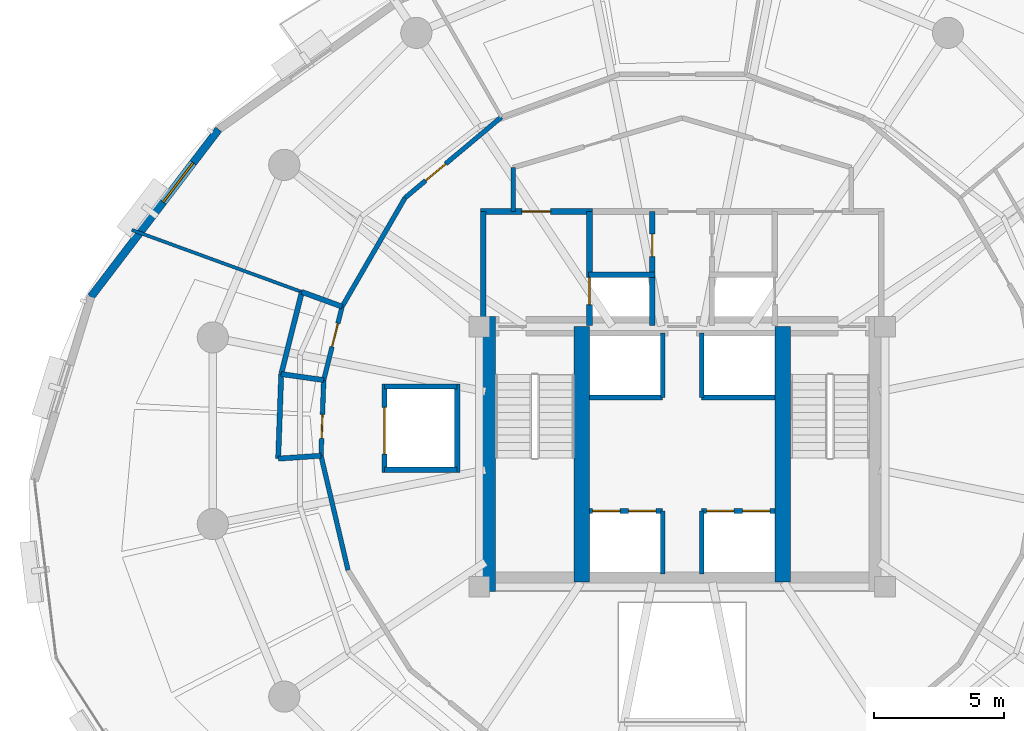
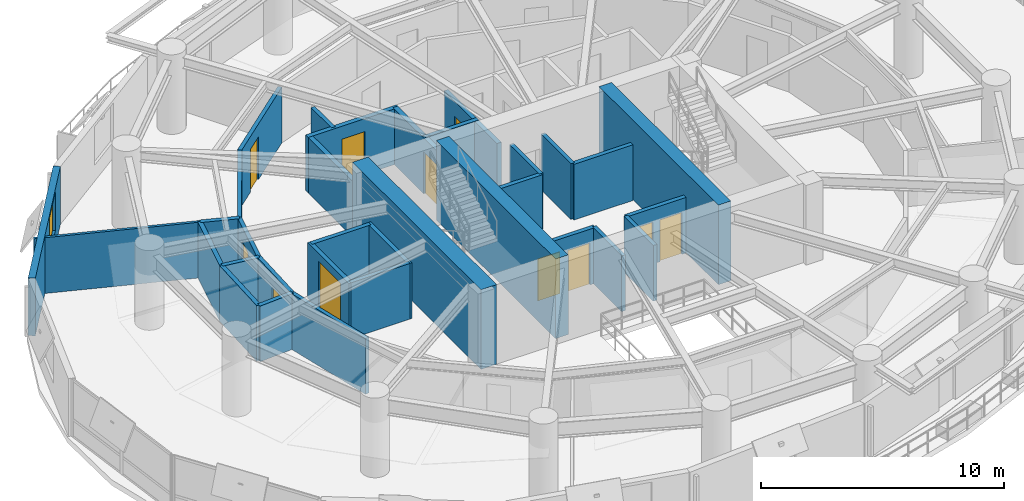
# One storey, part 10 of 15: 33 walls, 11 doors, 1 window, 12 openings.
"""IFC4 building model written with IfcOpenShell, lengths in metres."""

from ifc_helpers import new_model, si_unit, direction, frame, frame_2d, origin, place, context, subcontext, project, spatial, rectangle, extrude, material, layer, layer_set, type_object, element, fill, save


model = new_model("IFC4")

# Units and contexts
model_context = context("Model", 3, precision=1e-05, world=origin(), true_north=direction((0.0, 1.0)))
body_context = subcontext(model_context, "Body", "Model", "MODEL_VIEW")
ifc_project = project(units=[si_unit("LENGTHUNIT", "METRE"), si_unit("AREAUNIT", "SQUARE_METRE"), si_unit("VOLUMEUNIT", "CUBIC_METRE"), si_unit("PLANEANGLEUNIT", "RADIAN"), si_unit("MASSUNIT", "GRAM", prefix="KILO"), si_unit("THERMODYNAMICTEMPERATUREUNIT", "KELVIN"), si_unit("POWERUNIT", "WATT")], contexts=[model_context])

# Site, building, storey
site_placement = place(None, origin())
site = spatial("IfcSite", under=ifc_project, at=site_placement, CompositionType="ELEMENT")
building_placement = place(site_placement, origin())
building = spatial("IfcBuilding", under=site, at=building_placement, Name="Ocrelia Relay Tower", CompositionType="ELEMENT")
storey_placement = place(building_placement, frame((0.0, 0.0, 117.800048828125)))
storey = spatial("IfcBuildingStorey", under=building, at=storey_placement, Name="L27", CompositionType="ELEMENT", Elevation=117.800048828125)

# Walls
ifc_material_1 = material(Name="Concrete C60/75", Category="concrete")
ifc_layer_1 = layer(ifc_material_1, 0.75, Name="Concrete C60/75")
ifc_layer_set_1 = layer_set([ifc_layer_1], Name="Concrete C60/75")
wall_type_1 = type_object("IfcWallType", Name="CW-CORE-750", PredefinedType="SHEAR", material=ifc_layer_set_1)
wall_1_placement = place(storey_placement, frame((26.447021484375, 19.81201171875, 0.0), z_axis=(0.0, 0.0, 1.0), x_axis=(0.0, 1.0, 0.0)))
element("IfcWall", 1, at=wall_1_placement, inside=storey, type_object=wall_type_1, Name="L27 Core Shear Wall W", PredefinedType="SHEAR", context=body_context, shape_type="SweptSolid", body=[
    extrude(rectangle(XDim=10.575927734375, YDim=0.75, at=frame_2d((5.2880859375, 0.0))), origin(), (0.0, 0.0, 1.0), 4.0),
])
for number, where, z_axis, x_axis, name in (
    (2, (30.137939453125, 20.18701171875, 0.0), (0.0, 0.0, 1.0), (0.0, 1.0, 0.0), "L27 Core Shear Wall SPW"),
    (3, (37.8720703125, 20.18701171875, 0.0), (0.0, 0.0, 1.0), (0.0, 1.0, 0.0), "L27 Core Shear Wall SPE"),
):
    element("IfcWall", number, at=place(storey_placement, frame(where, z_axis=z_axis, x_axis=x_axis)), inside=storey, type_object=wall_type_1, Name=name, PredefinedType="SHEAR", context=body_context, shape_type="SweptSolid", body=[
        extrude(rectangle(XDim=9.825927734375, YDim=0.60009765625, at=frame_2d((4.9130859375, 0.0))), origin(), (0.0, 0.0, 1.0), 4.0),
    ])
ifc_material_2 = material(Name="Gypsum Fireboard Partition EI60", Category="gypsum")
ifc_layer_2 = layer(ifc_material_2, 0.179931640625, Name="Gypsum Fireboard Partition EI60")
ifc_layer_set_2 = layer_set([ifc_layer_2], Name="Gypsum Fireboard Partition EI60")
wall_type_2 = type_object("IfcWallType", Name="W-CORR-EI60-180", PredefinedType="PARTITIONING", material=ifc_layer_set_2)
wall_2_placement = place(storey_placement, frame((27.5, 34.429931640625, 0.0), z_axis=(0.0, 0.0, 1.0), x_axis=(0.0, 1.0, 0.0)))
element("IfcWall", 4, at=wall_2_placement, inside=storey, type_object=wall_type_2, Name="L27 Smoke Lobby West Return", PredefinedType="PARTITIONING", context=body_context, shape_type="SweptSolid", body=[
    extrude(rectangle(XDim=1.69287109375, YDim=0.179931640625, at=frame_2d((0.846435546875, 0.0))), origin(), (0.0, 0.0, 1.0), 2.800048828125),
])

# Wall, opening, door
wall_3_placement = place(storey_placement, frame((20.923583984375, 30.772216796875, 0.0), z_axis=(0.0, 0.0, 1.0), x_axis=(-0.242713284666, -0.970098067953, 0.0)))
wall_3 = element("IfcWall", 5, at=wall_3_placement, inside=storey, type_object=wall_type_2, Name="L27 Staff Toilet Corridor Wall", PredefinedType="PARTITIONING", context=body_context, shape_type="SweptSolid", body=[
    extrude(rectangle(XDim=2.909912109375, YDim=0.179931640625, at=frame_2d((1.455078125, 0.0))), origin(), (0.0, 0.0, 1.0), 2.800048828125),
])
opening_1_placement = place(wall_3_placement, frame((0.6689453125, 0.0, 0.0)))
opening_1 = element("IfcOpeningElement", 6, at=opening_1_placement, cuts=wall_3, Name="Opening D-WC92", PredefinedType="OPENING", context=body_context, shape_type="SweptSolid", body=[
    extrude(rectangle(XDim=0.919921875, YDim=2.10009765625, at=frame_2d((0.4599609375, 1.050048828125))), frame((0.0, 0.10009765625, 0.0), z_axis=(0.0, -1.0, 0.0), x_axis=(1.0, 0.0, 0.0)), (0.0, 0.0, 1.0), 0.199951171875),
])
ifc_material_3 = material(Name="Laminate washroom door", Category="wood")
door_type_1 = type_object("IfcDoorType", Name="DR-WC-920", OperationType="NOTDEFINED", PredefinedType="DOOR", material=ifc_material_3)
door_1_placement = place(opening_1_placement, origin())
door_1 = element("IfcDoor", 7, at=door_1_placement, inside=storey, type_object=door_type_1, Name="L27 Staff Toilet Door", OperationType="SINGLE_SWING_LEFT", OverallHeight=2.10009765625, OverallWidth=0.919921875, PredefinedType="DOOR", context=body_context, shape_type="SweptSolid", body=[
    extrude(rectangle(XDim=0.919921875, YDim=2.10009765625, at=frame_2d((0.4599609375, 1.050048828125))), frame((0.0, 0.02490234375, 0.0), z_axis=(0.0, -1.0, 0.0), x_axis=(1.0, 0.0, 0.0)), (0.0, 0.0, 1.0), 0.050048828125),
])
fill(opening_1, door_1)

wall_4_placement = place(storey_placement, frame((20.21728515625, 27.94921875, 0.0), z_axis=(0.0, 0.0, 1.0), x_axis=(-0.035823197379, -0.999358143275, 0.0)))
wall_4 = element("IfcWall", 8, at=wall_4_placement, inside=storey, type_object=wall_type_2, Name="L27 Accessible Toilet Corridor Wall", PredefinedType="PARTITIONING", context=body_context, shape_type="SweptSolid", body=[
    extrude(rectangle(XDim=2.91015625, YDim=0.179931640625, at=frame_2d((1.455078125, 0.0))), origin(), (0.0, 0.0, 1.0), 2.800048828125),
])
opening_2_placement = place(wall_4_placement, frame((1.321044921875, 0.0, 0.0)))
opening_2 = element("IfcOpeningElement", 9, at=opening_2_placement, cuts=wall_4, Name="Opening D-WC92", PredefinedType="OPENING", context=body_context, shape_type="SweptSolid", body=[
    extrude(rectangle(XDim=0.919921875, YDim=2.10009765625, at=frame_2d((0.4599609375, 1.050048828125))), frame((0.0, 0.10009765625, 0.0), z_axis=(0.0, -1.0, 0.0), x_axis=(1.0, 0.0, 0.0)), (0.0, 0.0, 1.0), 0.199951171875),
])
door_2_placement = place(opening_2_placement, origin())
door_2 = element("IfcDoor", 10, at=door_2_placement, inside=storey, type_object=door_type_1, Name="L27 Accessible Toilet Door", OperationType="SINGLE_SWING_RIGHT", OverallHeight=2.10009765625, OverallWidth=0.919921875, PredefinedType="DOOR", context=body_context, shape_type="SweptSolid", body=[
    extrude(rectangle(XDim=0.919921875, YDim=2.10009765625, at=frame_2d((0.4599609375, 1.050048828125))), frame((0.0, 0.02490234375, 0.0), z_axis=(0.0, -1.0, 0.0), x_axis=(1.0, 0.0, 0.0)), (0.0, 0.0, 1.0), 0.050048828125),
])
fill(opening_2, door_2)

# Wall
wall_5_placement = place(storey_placement, frame((20.113037109375, 25.041015625, 0.0), z_axis=(0.0, 0.0, 1.0), x_axis=(0.229765650993, -0.973245984129, 0.0)))
element("IfcWall", 11, at=wall_5_placement, inside=storey, type_object=wall_type_2, Name="L27 Peering Conference Room Corridor Partition 1", PredefinedType="PARTITIONING", context=body_context, shape_type="SweptSolid", body=[
    extrude(rectangle(XDim=4.514892578125, YDim=0.179931640625, at=frame_2d((2.25732421875, 0.0))), origin(), (0.0, 0.0, 1.0), 2.800048828125),
])

# Wall, opening, door
wall_6_placement = place(storey_placement, frame((27.050537109375, 38.06103515625, 0.0), z_axis=(0.0, 0.0, 1.0), x_axis=(-0.766604462261, -0.642119613811, 0.0)))
wall_6 = element("IfcWall", 12, at=wall_6_placement, inside=storey, type_object=wall_type_2, Name="L27 Fiber Patch Store Corridor Partition 1", PredefinedType="PARTITIONING", context=body_context, shape_type="SweptSolid", body=[
    extrude(rectangle(XDim=4.83447265625, YDim=0.179931640625, at=frame_2d((2.417236328125, 0.0))), origin(), (0.0, 0.0, 1.0), 2.800048828125),
])
opening_3_placement = place(wall_6_placement, frame((2.80078125, 0.0, 0.0)))
opening_3 = element("IfcOpeningElement", 13, at=opening_3_placement, cuts=wall_6, Name="Opening D-RM100", PredefinedType="OPENING", context=body_context, shape_type="SweptSolid", body=[
    extrude(rectangle(XDim=1.0, YDim=2.14990234375, at=frame_2d((0.5, 1.074951171875))), frame((0.0, 0.10009765625, 0.0), z_axis=(0.0, -1.0, 0.0), x_axis=(1.0, 0.0, 0.0)), (0.0, 0.0, 1.0), 0.199951171875),
])
ifc_material_4 = material(Name="Acoustic oak veneer fire door", Category="wood")
door_type_2 = type_object("IfcDoorType", Name="DR-ROOM-FD60-1000", OperationType="NOTDEFINED", PredefinedType="DOOR", material=ifc_material_4)
door_3_placement = place(opening_3_placement, origin())
door_3 = element("IfcDoor", 14, at=door_3_placement, inside=storey, type_object=door_type_2, Name="L27 Fiber Patch Store Entrance Door", OperationType="SINGLE_SWING_LEFT", OverallHeight=2.14990234375, OverallWidth=1.0, PredefinedType="DOOR", context=body_context, shape_type="SweptSolid", body=[
    extrude(rectangle(XDim=1.0, YDim=2.14990234375, at=frame_2d((0.5, 1.074951171875))), frame((0.0, 0.02490234375, 0.0), z_axis=(0.0, -1.0, 0.0), x_axis=(1.0, 0.0, 0.0)), (0.0, 0.0, 1.0), 0.050048828125),
])
fill(opening_3, door_3)

# Wall
wall_7_placement = place(storey_placement, frame((23.344482421875, 34.956787109375, 0.0), z_axis=(0.0, 0.0, 1.0), x_axis=(-0.500765511673, -0.865582984074, 0.0)))
element("IfcWall", 15, at=wall_7_placement, inside=storey, type_object=wall_type_2, Name="L27 Fiber Patch Store Corridor Partition 2", PredefinedType="PARTITIONING", context=body_context, shape_type="SweptSolid", body=[
    extrude(rectangle(XDim=4.83447265625, YDim=0.179931640625, at=frame_2d((2.417236328125, 0.0))), origin(), (0.0, 0.0, 1.0), 2.800048828125),
])

# Wall, opening, window
ifc_material_5 = material(Name="Precast concrete C40/50 with oxide terracotta", Category="masonry")
ifc_layer_3 = layer(ifc_material_5, 0.300048828125, Name="Precast concrete C40/50 with oxide terracotta")
ifc_layer_set_3 = layer_set([ifc_layer_3], Name="Precast concrete C40/50 with oxide terracotta")
wall_type_3 = type_object("IfcWallType", Name="W-EXT-TERR-300", PredefinedType="SOLIDWALL", material=ifc_layer_set_3)
wall_8_placement = place(storey_placement, frame((16.176513671875, 37.588134765625, 0.0), z_axis=(0.0, 0.0, 1.0), x_axis=(-0.606432047851, -0.795135316371, 0.0)))
wall_8 = element("IfcWall", 16, at=wall_8_placement, inside=storey, type_object=wall_type_3, Name="L27 Oxide Terracotta Facade Wall 07", PredefinedType="SOLIDWALL", context=body_context, shape_type="SweptSolid", body=[
    extrude(rectangle(XDim=8.09521484375, YDim=0.300048828125, at=frame_2d((4.047607421875, 0.0))), origin(), (0.0, 0.0, 1.0), 2.89990234375),
])
opening_4_placement = place(wall_8_placement, frame((1.614990234375, 0.0, 0.800048828125)))
opening_4 = element("IfcOpeningElement", 17, at=opening_4_placement, cuts=wall_8, Name="Opening W-06", PredefinedType="OPENING", context=body_context, shape_type="SweptSolid", body=[
    extrude(rectangle(XDim=1.89990234375, YDim=1.949951171875, at=frame_2d((0.949951171875, 0.97509765625))), frame((0.0, 0.16015625, 0.0), z_axis=(0.0, -1.0, 0.0), x_axis=(1.0, 0.0, 0.0)), (0.0, 0.0, 1.0), 0.320068359375),
])
ifc_material_6 = material(Name="Clear double-glazed low-E glass", Category="glass")
window_type = type_object("IfcWindowType", Name="WIN-Z2-1900x2100", PartitioningType="DOUBLE_PANEL_VERTICAL", PredefinedType="WINDOW", material=ifc_material_6)
window_placement = place(opening_4_placement, origin())
window = element("IfcWindow", 18, at=window_placement, inside=storey, type_object=window_type, Name="L27 Facade Module Window 07", OverallHeight=1.949951171875, OverallWidth=1.89990234375, PartitioningType="SINGLE_PANEL", PredefinedType="WINDOW", context=body_context, shape_type="SweptSolid", body=[
    extrude(rectangle(XDim=1.89990234375, YDim=1.949951171875, at=frame_2d((0.949951171875, 0.97509765625))), frame((0.0, 0.030029296875, 0.0), z_axis=(0.0, -1.0, 0.0), x_axis=(1.0, 0.0, 0.0)), (0.0, 0.0, 1.0), 0.06005859375),
])
fill(opening_4, window)

# Wall
ifc_material_7 = material(Name="Concrete C50/60", Category="concrete")
ifc_layer_4 = layer(ifc_material_7, 0.219970703125, Name="Concrete C50/60")
ifc_layer_set_4 = layer_set([ifc_layer_4], Name="Concrete C50/60")
wall_type_4 = type_object("IfcWallType", Name="W-FFL-EI120-220", PredefinedType="SOLIDWALL", material=ifc_layer_set_4)
wall_9_placement = place(storey_placement, frame((26.35009765625, 30.050048828125, 0.0), z_axis=(0.0, 0.0, 1.0), x_axis=(0.0, 1.0, 0.0)))
element("IfcWall", 19, at=wall_9_placement, inside=storey, type_object=wall_type_4, Name="L27 W Fire Service Lift Lobby West Wall", PredefinedType="SOLIDWALL", context=body_context, shape_type="SweptSolid", body=[
    extrude(rectangle(XDim=4.3798828125, YDim=0.219970703125, at=frame_2d((2.18994140625, 0.0))), origin(), (0.0, 0.0, 1.0), 2.800048828125),
])

# Wall, opening, door
wall_10_placement = place(storey_placement, frame((30.43994140625, 30.050048828125, 0.0), z_axis=(0.0, 0.0, 1.0), x_axis=(0.0, 1.0, 0.0)))
wall_10 = element("IfcWall", 20, at=wall_10_placement, inside=storey, type_object=wall_type_4, Name="L27 W Fire Service Lift Lobby East Wall", PredefinedType="SOLIDWALL", context=body_context, shape_type="SweptSolid", body=[
    extrude(rectangle(XDim=4.3798828125, YDim=0.219970703125, at=frame_2d((2.18994140625, 0.0))), origin(), (0.0, 0.0, 1.0), 2.800048828125),
])
opening_5_placement = place(wall_10_placement, frame((0.800048828125, 0.0, 0.0)))
opening_5 = element("IfcOpeningElement", 21, at=opening_5_placement, cuts=wall_10, Name="Opening LD-FFL1", PredefinedType="OPENING", context=body_context, shape_type="SweptSolid", body=[
    extrude(rectangle(XDim=1.050048828125, YDim=2.10009765625, at=frame_2d((0.52490234375, 1.050048828125))), frame((0.0, 0.1201171875, 0.0), z_axis=(0.0, -1.0, 0.0), x_axis=(1.0, 0.0, 0.0)), (0.0, 0.0, 1.0), 0.239990234375),
])
ifc_material_8 = material(Name="Brushed stainless steel S355 lift landing door", Category="steel")
door_type_3 = type_object("IfcDoorType", Name="DR-LIFT-LAND-1050", OperationType="DOUBLE_DOOR_SLIDING", PredefinedType="USERDEFINED", material=ifc_material_8)
door_4_placement = place(opening_5_placement, origin())
door_4 = element("IfcDoor", 22, at=door_4_placement, inside=storey, type_object=door_type_3, Name="L27 Firefighting Lift FFL1 Sliding Landing Door", ObjectType="LANDING DOOR", OperationType="DOUBLE_DOOR_SLIDING", OverallHeight=2.10009765625, OverallWidth=1.050048828125, PredefinedType="USERDEFINED", context=body_context, shape_type="SweptSolid", body=[
    extrude(rectangle(XDim=1.050048828125, YDim=2.10009765625, at=frame_2d((0.52490234375, 1.050048828125))), frame((0.0, 0.02490234375, 0.0), z_axis=(0.0, -1.0, 0.0), x_axis=(1.0, 0.0, 0.0)), (0.0, 0.0, 1.0), 0.050048828125),
])
fill(opening_5, door_4)

wall_11_placement = place(storey_placement, frame((26.239990234375, 34.429931640625, 0.0), z_axis=(0.0, 0.0, 1.0), x_axis=(1.0, 0.0, 0.0)))
wall_11 = element("IfcWall", 23, at=wall_11_placement, inside=storey, type_object=wall_type_4, Name="L27 W Fire Service Lift Lobby North Wall", PredefinedType="SOLIDWALL", context=body_context, shape_type="SweptSolid", body=[
    extrude(rectangle(XDim=4.31005859375, YDim=0.219970703125, at=frame_2d((2.155029296875, 0.0))), origin(), (0.0, 0.0, 1.0), 2.800048828125),
])
opening_6_placement = place(wall_11_placement, frame((1.60009765625, 0.0, 0.0)))
opening_6 = element("IfcOpeningElement", 24, at=opening_6_placement, cuts=wall_11, Name="Opening D-FD60", PredefinedType="OPENING", context=body_context, shape_type="SweptSolid", body=[
    extrude(rectangle(XDim=1.10009765625, YDim=2.14990234375, at=frame_2d((0.550048828125, 1.074951171875))), frame((0.0, 0.1201171875, 0.0), z_axis=(0.0, -1.0, 0.0), x_axis=(1.0, 0.0, 0.0)), (0.0, 0.0, 1.0), 0.239990234375),
])
ifc_material_9 = material(Name="Timber-core 60-min acoustic fire door", Category="wood")
door_type_4 = type_object("IfcDoorType", Name="DR-LOBBY-FD60-1100", OperationType="NOTDEFINED", PredefinedType="DOOR", material=ifc_material_9)
door_5_placement = place(opening_6_placement, origin())
door_5 = element("IfcDoor", 25, at=door_5_placement, inside=storey, type_object=door_type_4, Name="L27 W Fire Service Lift Lobby Exit Door", OperationType="SINGLE_SWING_RIGHT", OverallHeight=2.14990234375, OverallWidth=1.10009765625, PredefinedType="DOOR", context=body_context, shape_type="SweptSolid", body=[
    extrude(rectangle(XDim=1.10009765625, YDim=2.14990234375, at=frame_2d((0.550048828125, 1.074951171875))), frame((0.0, 0.02490234375, 0.0), z_axis=(0.0, -1.0, 0.0), x_axis=(1.0, 0.0, 0.0)), (0.0, 0.0, 1.0), 0.050048828125),
])
fill(opening_6, door_5)

# Walls
ifc_material_10 = material(Name="Acoustic Fireboard Partition EI60", Category="gypsum")
ifc_layer_5 = layer(ifc_material_10, 0.125, Name="Acoustic Fireboard Partition EI60")
ifc_layer_set_5 = layer_set([ifc_layer_5], Name="Acoustic Fireboard Partition EI60")
wall_type_5 = type_object("IfcWallType", Name="W-PART-125", PredefinedType="PARTITIONING", material=ifc_layer_set_5)
wall_12_placement = place(storey_placement, frame((19.37353515625, 31.337890625, 0.0), z_axis=(0.0, 0.0, 1.0), x_axis=(-0.939385857188, 0.342861796232, 0.0)))
element("IfcWall", 26, at=wall_12_placement, inside=storey, type_object=wall_type_5, Name="L27 Peering Conference Room Radial Partition", PredefinedType="PARTITIONING", context=body_context, shape_type="SweptSolid", body=[
    extrude(rectangle(XDim=6.954833984375, YDim=0.125, at=frame_2d((3.4775390625, 0.0))), origin(), (0.0, 0.0, 1.0), 2.800048828125),
])
ifc_material_11 = material(Name="Moisture-Resistant Fireboard Chase Wall EI60", Category="gypsum")
ifc_layer_6 = layer(ifc_material_11, 0.199951171875, Name="Moisture-Resistant Fireboard Chase Wall EI60")
ifc_layer_set_6 = layer_set([ifc_layer_6], Name="Moisture-Resistant Fireboard Chase Wall EI60")
wall_type_6 = type_object("IfcWallType", Name="W-PLUMB-200", PredefinedType="PLUMBINGWALL", material=ifc_layer_set_6)
for number, where, z_axis, x_axis, name in (
    (27, (20.923583984375, 30.772216796875, 0.0), (0.0, 0.0, 1.0), (-0.939399680996, 0.342823918864, 0.0), "L27 Staff Toilet Plumbing Radial Wall"),
    (28, (20.21728515625, 27.94921875, 0.0), (0.0, 0.0, 1.0), (-0.99013506062, 0.140116243635, 0.0), "L27 Staff Toilet Plumbing Radial Wall"),
):
    element("IfcWall", number, at=place(storey_placement, frame(where, z_axis=z_axis, x_axis=x_axis)), inside=storey, type_object=wall_type_6, Name=name, PredefinedType="PLUMBINGWALL", context=body_context, shape_type="SweptSolid", body=[
        extrude(rectangle(XDim=1.650146484375, YDim=0.199951171875, at=frame_2d((0.8251953125, 0.0))), origin(), (0.0, 0.0, 1.0), 2.800048828125),
    ])
wall_13_placement = place(storey_placement, frame((19.37353515625, 31.337890625, 0.0), z_axis=(0.0, 0.0, 1.0), x_axis=(-0.242729761631, -0.970093945357, 0.0)))
element("IfcWall", 29, at=wall_13_placement, inside=storey, type_object=wall_type_6, Name="L27 Staff Toilet Back Plumbing Wall", PredefinedType="PLUMBINGWALL", context=body_context, shape_type="SweptSolid", body=[
    extrude(rectangle(XDim=3.2548828125, YDim=0.199951171875, at=frame_2d((1.62744140625, 0.0))), origin(), (0.0, 0.0, 1.0), 2.800048828125),
])
wall_14_placement = place(storey_placement, frame((20.113037109375, 25.041015625, 0.0), z_axis=(0.0, 0.0, 1.0), x_axis=(-0.99762997818, -0.068807169958, 0.0)))
element("IfcWall", 30, at=wall_14_placement, inside=storey, type_object=wall_type_6, Name="L27 Accessible Toilet Plumbing Radial Wall", PredefinedType="PLUMBINGWALL", context=body_context, shape_type="SweptSolid", body=[
    extrude(rectangle(XDim=1.64990234375, YDim=0.199951171875, at=frame_2d((0.824951171875, 0.0))), origin(), (0.0, 0.0, 1.0), 2.800048828125),
])
wall_15_placement = place(storey_placement, frame((18.58349609375, 28.180419921875, 0.0), z_axis=(0.0, 0.0, 1.0), x_axis=(-0.035777140599, -0.999359793173, 0.0)))
element("IfcWall", 31, at=wall_15_placement, inside=storey, type_object=wall_type_6, Name="L27 Accessible Toilet Back Plumbing Wall", PredefinedType="PLUMBINGWALL", context=body_context, shape_type="SweptSolid", body=[
    extrude(rectangle(XDim=3.255126953125, YDim=0.199951171875, at=frame_2d((1.62744140625, 0.0))), origin(), (0.0, 0.0, 1.0), 2.800048828125),
])
ifc_layer_7 = layer(ifc_material_7, 0.199951171875, Name="Concrete C50/60")
ifc_layer_set_7 = layer_set([ifc_layer_7], Name="Concrete C50/60")
wall_type_7 = type_object("IfcWallType", Name="W-SHAFT-EI120-200", PredefinedType="SOLIDWALL", material=ifc_layer_set_7)
wall_16_placement = place(storey_placement, frame((30.39990234375, 32.0, 0.0), z_axis=(0.0, 0.0, 1.0), x_axis=(1.0, 0.0, 0.0)))
element("IfcWall", 32, at=wall_16_placement, inside=storey, type_object=wall_type_7, Name="L27 FFL1 Hoistway North Wall", PredefinedType="SOLIDWALL", context=body_context, shape_type="SweptSolid", body=[
    extrude(rectangle(XDim=2.550048828125, YDim=0.199951171875, at=frame_2d((1.27490234375, 0.0))), origin(), (0.0, 0.0, 1.0), 2.800048828125),
])

# Wall, opening, door
wall_17_placement = place(storey_placement, frame((32.85009765625, 30.050048828125, 0.0), z_axis=(0.0, 0.0, 1.0), x_axis=(0.0, 1.0, 0.0)))
wall_17 = element("IfcWall", 33, at=wall_17_placement, inside=storey, type_object=wall_type_7, Name="L27 FFL1 and Service Vestibule Wall", PredefinedType="SOLIDWALL", context=body_context, shape_type="SweptSolid", body=[
    extrude(rectangle(XDim=4.3798828125, YDim=0.199951171875, at=frame_2d((2.18994140625, 0.0))), origin(), (0.0, 0.0, 1.0), 2.800048828125),
])
opening_7_placement = place(wall_17_placement, frame((2.64990234375, 0.0, 0.0)))
opening_7 = element("IfcOpeningElement", 34, at=opening_7_placement, cuts=wall_17, Name="Opening D-RS86", PredefinedType="OPENING", context=body_context, shape_type="SweptSolid", body=[
    extrude(rectangle(XDim=0.860107421875, YDim=2.050048828125, at=frame_2d((0.43017578125, 1.02490234375))), frame((0.0, 0.10986328125, 0.0), z_axis=(0.0, -1.0, 0.0), x_axis=(1.0, 0.0, 0.0)), (0.0, 0.0, 1.0), 0.219970703125),
])
ifc_material_12 = material(Name="Steel S355 riser access fire door", Category="steel")
door_type_5 = type_object("IfcDoorType", Name="DR-RISER-TRAP-860", OperationType="NOTDEFINED", PredefinedType="TRAPDOOR", material=ifc_material_12)
door_6_placement = place(opening_7_placement, origin())
door_6 = element("IfcDoor", 35, at=door_6_placement, inside=storey, type_object=door_type_5, Name="L27 Core Support Room W Door", OperationType="SINGLE_SWING_LEFT", OverallHeight=2.050048828125, OverallWidth=0.860107421875, PredefinedType="TRAPDOOR", context=body_context, shape_type="SweptSolid", body=[
    extrude(rectangle(XDim=0.860107421875, YDim=2.050048828125, at=frame_2d((0.43017578125, 1.02490234375))), frame((0.0, 0.02490234375, 0.0), z_axis=(0.0, -1.0, 0.0), x_axis=(1.0, 0.0, 0.0)), (0.0, 0.0, 1.0), 0.050048828125),
])
fill(opening_7, door_6)

# Wall, openings, doors
wall_18_placement = place(storey_placement, frame((30.43994140625, 22.919921875, 0.0), z_axis=(0.0, 0.0, 1.0), x_axis=(1.0, 0.0, 0.0)))
wall_18 = element("IfcWall", 36, at=wall_18_placement, inside=storey, type_object=wall_type_7, Name="L27 Low-Rise Lift Hoistway Wall W", PredefinedType="SOLIDWALL", context=body_context, shape_type="SweptSolid", body=[
    extrude(rectangle(XDim=2.81005859375, YDim=0.199951171875, at=frame_2d((1.405029296875, 0.0))), origin(), (0.0, 0.0, 1.0), 2.800048828125),
])
opening_8_placement = place(wall_18_placement, frame((0.1201171875, 0.0, 0.0)))
opening_8 = element("IfcOpeningElement", 37, at=opening_8_placement, cuts=wall_18, Name="Opening LD-PL1", PredefinedType="OPENING", context=body_context, shape_type="SweptSolid", body=[
    extrude(rectangle(XDim=1.050048828125, YDim=2.10009765625, at=frame_2d((0.52490234375, 1.050048828125))), frame((0.0, 0.10986328125, 0.0), z_axis=(0.0, -1.0, 0.0), x_axis=(1.0, 0.0, 0.0)), (0.0, 0.0, 1.0), 0.219970703125),
])
opening_9_placement = place(wall_18_placement, frame((1.5, 0.0, 0.0)))
opening_9 = element("IfcOpeningElement", 38, at=opening_9_placement, cuts=wall_18, Name="Opening LD-PL2", PredefinedType="OPENING", context=body_context, shape_type="SweptSolid", body=[
    extrude(rectangle(XDim=1.050048828125, YDim=2.10009765625, at=frame_2d((0.52490234375, 1.050048828125))), frame((0.0, 0.10986328125, 0.0), z_axis=(0.0, -1.0, 0.0), x_axis=(1.0, 0.0, 0.0)), (0.0, 0.0, 1.0), 0.219970703125),
])
door_7_placement = place(opening_8_placement, origin())
door_7 = element("IfcDoor", 39, at=door_7_placement, inside=storey, type_object=door_type_3, Name="L27 Passenger Lift PL1 Sliding Landing Door", ObjectType="LANDING DOOR", OperationType="DOUBLE_DOOR_SLIDING", OverallHeight=2.10009765625, OverallWidth=1.050048828125, PredefinedType="USERDEFINED", context=body_context, shape_type="SweptSolid", body=[
    extrude(rectangle(XDim=1.050048828125, YDim=2.10009765625, at=frame_2d((0.52490234375, 1.050048828125))), frame((0.0, 0.02490234375, 0.0), z_axis=(0.0, -1.0, 0.0), x_axis=(1.0, 0.0, 0.0)), (0.0, 0.0, 1.0), 0.050048828125),
])
fill(opening_8, door_7)
door_8_placement = place(opening_9_placement, origin())
door_8 = element("IfcDoor", 40, at=door_8_placement, inside=storey, type_object=door_type_3, Name="L27 Passenger Lift PL2 Sliding Landing Door", ObjectType="LANDING DOOR", OperationType="DOUBLE_DOOR_SLIDING", OverallHeight=2.10009765625, OverallWidth=1.050048828125, PredefinedType="USERDEFINED", context=body_context, shape_type="SweptSolid", body=[
    extrude(rectangle(XDim=1.050048828125, YDim=2.10009765625, at=frame_2d((0.52490234375, 1.050048828125))), frame((0.0, 0.02490234375, 0.0), z_axis=(0.0, -1.0, 0.0), x_axis=(1.0, 0.0, 0.0)), (0.0, 0.0, 1.0), 0.050048828125),
])
fill(opening_9, door_8)

# Wall
wall_19_placement = place(storey_placement, frame((33.25, 20.5, 0.0), z_axis=(0.0, 0.0, 1.0), x_axis=(0.0, 1.0, 0.0)))
element("IfcWall", 41, at=wall_19_placement, inside=storey, type_object=wall_type_7, Name="L27 Low-Rise Lift Throat Wall W", PredefinedType="SOLIDWALL", context=body_context, shape_type="SweptSolid", body=[
    extrude(rectangle(XDim=2.419921875, YDim=0.179931640625, at=frame_2d((1.2099609375, 0.0))), origin(), (0.0, 0.0, 1.0), 2.800048828125),
])

# Wall, openings, doors
wall_20_placement = place(storey_placement, frame((34.75, 22.919921875, 0.0), z_axis=(0.0, 0.0, 1.0), x_axis=(1.0, 0.0, 0.0)))
wall_20 = element("IfcWall", 42, at=wall_20_placement, inside=storey, type_object=wall_type_7, Name="L27 Low-Rise Lift Hoistway Wall E", PredefinedType="SOLIDWALL", context=body_context, shape_type="SweptSolid", body=[
    extrude(rectangle(XDim=2.81005859375, YDim=0.199951171875, at=frame_2d((1.405029296875, 0.0))), origin(), (0.0, 0.0, 1.0), 2.800048828125),
])
opening_10_placement = place(wall_20_placement, frame((0.18994140625, 0.0, 0.0)))
opening_10 = element("IfcOpeningElement", 43, at=opening_10_placement, cuts=wall_20, Name="Opening LD-PL3", PredefinedType="OPENING", context=body_context, shape_type="SweptSolid", body=[
    extrude(rectangle(XDim=1.050048828125, YDim=2.10009765625, at=frame_2d((0.52490234375, 1.050048828125))), frame((0.0, 0.10986328125, 0.0), z_axis=(0.0, -1.0, 0.0), x_axis=(1.0, 0.0, 0.0)), (0.0, 0.0, 1.0), 0.219970703125),
])
opening_11_placement = place(wall_20_placement, frame((1.570068359375, 0.0, 0.0)))
opening_11 = element("IfcOpeningElement", 44, at=opening_11_placement, cuts=wall_20, Name="Opening LD-PL4", PredefinedType="OPENING", context=body_context, shape_type="SweptSolid", body=[
    extrude(rectangle(XDim=1.050048828125, YDim=2.10009765625, at=frame_2d((0.52490234375, 1.050048828125))), frame((0.0, 0.10986328125, 0.0), z_axis=(0.0, -1.0, 0.0), x_axis=(1.0, 0.0, 0.0)), (0.0, 0.0, 1.0), 0.219970703125),
])
door_9_placement = place(opening_10_placement, origin())
door_9 = element("IfcDoor", 45, at=door_9_placement, inside=storey, type_object=door_type_3, Name="L27 Passenger Lift PL3 Sliding Landing Door", ObjectType="LANDING DOOR", OperationType="DOUBLE_DOOR_SLIDING", OverallHeight=2.10009765625, OverallWidth=1.050048828125, PredefinedType="USERDEFINED", context=body_context, shape_type="SweptSolid", body=[
    extrude(rectangle(XDim=1.050048828125, YDim=2.10009765625, at=frame_2d((0.52490234375, 1.050048828125))), frame((0.0, 0.02490234375, 0.0), z_axis=(0.0, -1.0, 0.0), x_axis=(1.0, 0.0, 0.0)), (0.0, 0.0, 1.0), 0.050048828125),
])
fill(opening_10, door_9)
door_10_placement = place(opening_11_placement, origin())
door_10 = element("IfcDoor", 46, at=door_10_placement, inside=storey, type_object=door_type_3, Name="L27 Passenger Lift PL4 Sliding Landing Door", ObjectType="LANDING DOOR", OperationType="DOUBLE_DOOR_SLIDING", OverallHeight=2.10009765625, OverallWidth=1.050048828125, PredefinedType="USERDEFINED", context=body_context, shape_type="SweptSolid", body=[
    extrude(rectangle(XDim=1.050048828125, YDim=2.10009765625, at=frame_2d((0.52490234375, 1.050048828125))), frame((0.0, 0.02490234375, 0.0), z_axis=(0.0, -1.0, 0.0), x_axis=(1.0, 0.0, 0.0)), (0.0, 0.0, 1.0), 0.050048828125),
])
fill(opening_11, door_10)

# Walls
wall_21_placement = place(storey_placement, frame((34.75, 20.5, 0.0), z_axis=(0.0, 0.0, 1.0), x_axis=(0.0, 1.0, 0.0)))
element("IfcWall", 47, at=wall_21_placement, inside=storey, type_object=wall_type_7, Name="L27 Low-Rise Lift Throat Wall E", PredefinedType="SOLIDWALL", context=body_context, shape_type="SweptSolid", body=[
    extrude(rectangle(XDim=2.419921875, YDim=0.179931640625, at=frame_2d((1.2099609375, 0.0))), origin(), (0.0, 0.0, 1.0), 2.800048828125),
])
wall_22_placement = place(storey_placement, frame((30.43994140625, 27.280029296875, 0.0), z_axis=(0.0, 0.0, 1.0), x_axis=(1.0, 0.0, 0.0)))
element("IfcWall", 48, at=wall_22_placement, inside=storey, type_object=wall_type_7, Name="L27 High-Rise Lift Hoistway Wall W", PredefinedType="SOLIDWALL", context=body_context, shape_type="SweptSolid", body=[
    extrude(rectangle(XDim=2.81005859375, YDim=0.199951171875, at=frame_2d((1.405029296875, 0.0))), origin(), (0.0, 0.0, 1.0), 2.800048828125),
])
wall_23_placement = place(storey_placement, frame((33.25, 27.280029296875, 0.0), z_axis=(0.0, 0.0, 1.0), x_axis=(0.0, 1.0, 0.0)))
element("IfcWall", 49, at=wall_23_placement, inside=storey, type_object=wall_type_7, Name="L27 High-Rise Lift Throat Wall W", PredefinedType="SOLIDWALL", context=body_context, shape_type="SweptSolid", body=[
    extrude(rectangle(XDim=2.469970703125, YDim=0.179931640625, at=frame_2d((1.23486328125, 0.0))), origin(), (0.0, 0.0, 1.0), 2.800048828125),
])
wall_24_placement = place(storey_placement, frame((34.75, 27.280029296875, 0.0), z_axis=(0.0, 0.0, 1.0), x_axis=(1.0, 0.0, 0.0)))
element("IfcWall", 50, at=wall_24_placement, inside=storey, type_object=wall_type_7, Name="L27 High-Rise Lift Hoistway Wall E", PredefinedType="SOLIDWALL", context=body_context, shape_type="SweptSolid", body=[
    extrude(rectangle(XDim=2.81005859375, YDim=0.199951171875, at=frame_2d((1.405029296875, 0.0))), origin(), (0.0, 0.0, 1.0), 2.800048828125),
])
wall_25_placement = place(storey_placement, frame((34.75, 27.280029296875, 0.0), z_axis=(0.0, 0.0, 1.0), x_axis=(0.0, 1.0, 0.0)))
element("IfcWall", 51, at=wall_25_placement, inside=storey, type_object=wall_type_7, Name="L27 High-Rise Lift Throat Wall E", PredefinedType="SOLIDWALL", context=body_context, shape_type="SweptSolid", body=[
    extrude(rectangle(XDim=2.469970703125, YDim=0.179931640625, at=frame_2d((1.23486328125, 0.0))), origin(), (0.0, 0.0, 1.0), 2.800048828125),
])

# Wall, opening, door
wall_26_placement = place(storey_placement, frame((22.550048828125, 24.39990234375, 0.0), z_axis=(0.0, 0.0, 1.0), x_axis=(0.0, 1.0, 0.0)))
wall_26 = element("IfcWall", 52, at=wall_26_placement, inside=storey, type_object=wall_type_7, Name="L27 Goods Lift Shaft West Wall", PredefinedType="SOLIDWALL", context=body_context, shape_type="SweptSolid", body=[
    extrude(rectangle(XDim=3.400146484375, YDim=0.199951171875, at=frame_2d((1.7001953125, 0.0))), origin(), (0.0, 0.0, 1.0), 2.800048828125),
])
opening_12_placement = place(wall_26_placement, frame((0.699951171875, 0.0, 0.0)))
opening_12 = element("IfcOpeningElement", 53, at=opening_12_placement, cuts=wall_26, Name="Opening LD-GL1", PredefinedType="OPENING", context=body_context, shape_type="SweptSolid", body=[
    extrude(rectangle(XDim=1.800048828125, YDim=2.39990234375, at=frame_2d((0.89990234375, 1.199951171875))), frame((0.0, 0.10986328125, 0.0), z_axis=(0.0, -1.0, 0.0), x_axis=(1.0, 0.0, 0.0)), (0.0, 0.0, 1.0), 0.219970703125),
])
ifc_material_13 = material(Name="Heavy-duty stainless steel S355 goods landing door", Category="steel")
door_type_6 = type_object("IfcDoorType", Name="DR-GOODS-LAND-1800", OperationType="DOUBLE_DOOR_SLIDING", PredefinedType="USERDEFINED", material=ifc_material_13)
door_11_placement = place(opening_12_placement, origin())
door_11 = element("IfcDoor", 54, at=door_11_placement, inside=storey, type_object=door_type_6, Name="L27 Goods Lift GL1 Sliding Landing Door", ObjectType="LANDING DOOR", OperationType="DOUBLE_DOOR_SLIDING", OverallHeight=2.39990234375, OverallWidth=1.800048828125, PredefinedType="USERDEFINED", context=body_context, shape_type="SweptSolid", body=[
    extrude(rectangle(XDim=1.800048828125, YDim=2.39990234375, at=frame_2d((0.89990234375, 1.199951171875))), frame((0.0, 0.02490234375, 0.0), z_axis=(0.0, -1.0, 0.0), x_axis=(1.0, 0.0, 0.0)), (0.0, 0.0, 1.0), 0.050048828125),
])
fill(opening_12, door_11)

# Walls
wall_27_placement = place(storey_placement, frame((25.35009765625, 24.39990234375, 0.0), z_axis=(0.0, 0.0, 1.0), x_axis=(0.0, 1.0, 0.0)))
element("IfcWall", 55, at=wall_27_placement, inside=storey, type_object=wall_type_7, Name="L27 Goods Lift Shaft E Wall", PredefinedType="SOLIDWALL", context=body_context, shape_type="SweptSolid", body=[
    extrude(rectangle(XDim=3.400146484375, YDim=0.199951171875, at=frame_2d((1.7001953125, 0.0))), origin(), (0.0, 0.0, 1.0), 2.800048828125),
])
for number, where, z_axis, x_axis, name in (
    (56, (22.550048828125, 24.5, 0.0), (0.0, 0.0, 1.0), (1.0, 0.0, 0.0), "L27 Goods Lift Shaft S Wall"),
    (57, (22.550048828125, 27.699951171875, 0.0), (0.0, 0.0, 1.0), (1.0, 0.0, 0.0), "L27 Goods Lift Shaft N Wall"),
):
    element("IfcWall", number, at=place(storey_placement, frame(where, z_axis=z_axis, x_axis=x_axis)), inside=storey, type_object=wall_type_7, Name=name, PredefinedType="SOLIDWALL", context=body_context, shape_type="SweptSolid", body=[
        extrude(rectangle(XDim=2.800048828125, YDim=0.199951171875, at=frame_2d((1.39990234375, 0.0))), origin(), (0.0, 0.0, 1.0), 2.800048828125),
    ])

save(model, "model.ifc")
